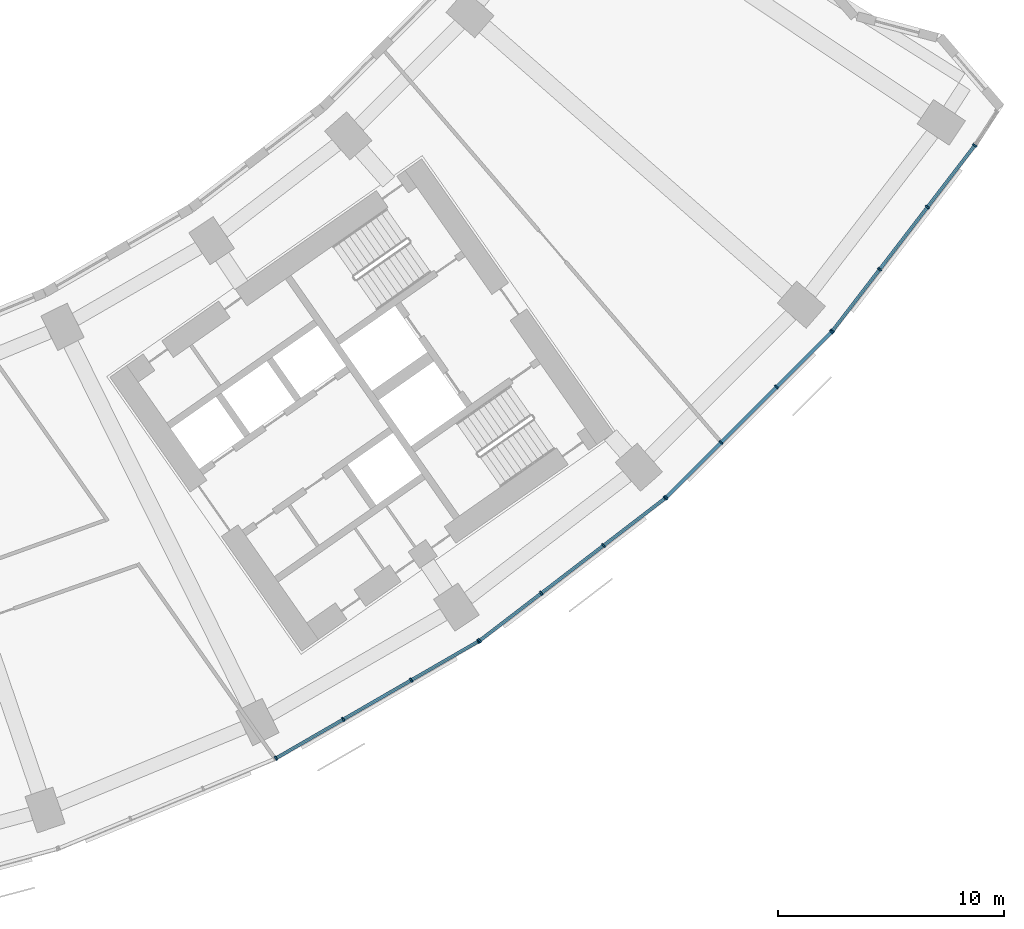
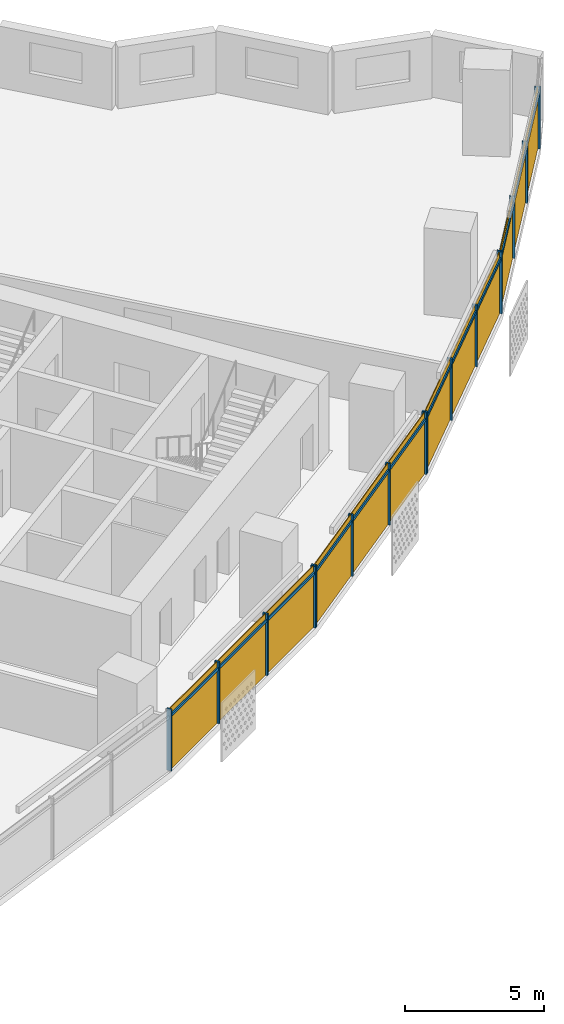
# One storey, part 22 of 31: 28 members, 4 curtain walls.
"""IFC4 building model written with IfcOpenShell, lengths in metres."""

import ifcopenshell
import ifcopenshell.guid

model = None  # the IFC model being written
_history = None  # IfcOwnerHistory: only IFC2X3 demands one
_inside = {}  # id of a spatial element -> (the spatial element, [elements in it])
_under = {}  # id of a project, library or spatial element -> (it, [spatial elements below it])
_declared = {}  # id of a project -> (the project, [libraries it declares])
_typed = {}  # id of a type object -> (the type object, [elements of that type])
_made_of = {}  # id of a material, layer set ... -> (it, [elements and type objects made of it])


def new_model(schema):
    """Start an empty IFC model of exactly this schema.

    Asked for "IFC4X3", IfcOpenShell would pick the latest addendum, in which some entities
    have other attributes; the version numbers below select the first issue.
    IFC2X3 requires an IfcOwnerHistory on every rooted entity: one is made here for all.
    """
    global model, _history
    if schema == "IFC4X3":
        model = ifcopenshell.file(schema_version=(4, 3, 0, 0))
    else:
        model = ifcopenshell.file(schema=schema)
    _inside.clear()
    _under.clear()
    _declared.clear()
    _typed.clear()
    _made_of.clear()
    _history = None
    if model.schema == "IFC2X3":
        org = make("IfcOrganization", Name="unknown")
        user = make(
            "IfcPersonAndOrganization",
            ThePerson=make("IfcPerson", FamilyName="unknown"),
            TheOrganization=org,
        )
        app = make(
            "IfcApplication",
            ApplicationDeveloper=org,
            Version="unknown",
            ApplicationFullName="unknown",
            ApplicationIdentifier="unknown",
        )
        _history = make(
            "IfcOwnerHistory",
            OwningUser=user,
            OwningApplication=app,
            ChangeAction="ADDED",
            CreationDate=0,
        )
    return model


def make(cls, **values):
    """One entity of the class cls with the attributes given. An attribute that is None is left unset."""
    return model.create_entity(
        cls, **{name: value for name, value in values.items() if value is not None}
    )


def rooted(cls, **values):
    """An entity with a GlobalId (a new one), such as an element, a storey or a relation."""
    return make(cls, GlobalId=ifcopenshell.guid.new(), OwnerHistory=_history, **values)


def si_unit(unit_type, name, prefix=None):
    """IfcSIUnit, for example si_unit("LENGTHUNIT", "METRE", prefix="MILLI")."""
    return make("IfcSIUnit", UnitType=unit_type, Prefix=prefix, Name=name)


def assignment(units):
    """IfcUnitAssignment: the units of a project."""
    return None if units is None else make("IfcUnitAssignment", Units=units)


def point(xyz):
    """IfcCartesianPoint."""
    return None if xyz is None else make("IfcCartesianPoint", Coordinates=xyz)


def direction(xyz):
    """IfcDirection."""
    return None if xyz is None else make("IfcDirection", DirectionRatios=xyz)


def frame(location, z_axis=None, x_axis=None):
    """IfcAxis2Placement3D, a coordinate frame: its origin and axes. An axis left out is left unset."""
    return make(
        "IfcAxis2Placement3D",
        Location=point(location),
        Axis=direction(z_axis),
        RefDirection=direction(x_axis),
    )


def frame_2d(location, x_axis=None):
    """IfcAxis2Placement2D, a coordinate frame in the plane: its origin and x axis."""
    return make(
        "IfcAxis2Placement2D", Location=point(location), RefDirection=direction(x_axis)
    )


def origin():
    """The frame at (0, 0, 0) with its axes left unset."""
    return frame((0.0, 0.0, 0.0))


def origin_2d():
    """The frame at (0, 0) in the plane with its x axis left unset."""
    return frame_2d((0.0, 0.0))


def place(relative_to, where):
    """IfcLocalPlacement: puts the frame where relative to a parent placement (None: the world)."""
    return make(
        "IfcLocalPlacement", PlacementRelTo=relative_to, RelativePlacement=where
    )


def context(
    kind, dimensions, precision=None, world=None, true_north=None, identifier=None
):
    """IfcGeometricRepresentationContext, for example the 3D "Model" context."""
    return make(
        "IfcGeometricRepresentationContext",
        ContextIdentifier=identifier,
        ContextType=kind,
        CoordinateSpaceDimension=dimensions,
        Precision=precision,
        WorldCoordinateSystem=world,
        TrueNorth=true_north,
    )


def subcontext(parent, identifier, kind, view, scale=None):
    """IfcGeometricRepresentationSubContext, for example "Body" below "Model"."""
    return make(
        "IfcGeometricRepresentationSubContext",
        ContextIdentifier=identifier,
        ContextType=kind,
        ParentContext=parent,
        TargetScale=scale,
        TargetView=view,
    )


def project(units=None, contexts=None):
    """IfcProject with its units and contexts."""
    return rooted(
        "IfcProject",
        Name="project",
        RepresentationContexts=contexts,
        UnitsInContext=assignment(units),
    )


def spatial(cls, under=None, at=None, **own):
    """A site, building, storey or space (cls), placed at a placement, below another one or the project."""
    s = rooted(cls, ObjectPlacement=at, **own)
    if under is not None:
        _under.setdefault(under.id(), (under, []))[1].append(s)
    return s


def profile(cls, at=None, kind="AREA", **sizes):
    """A parametric profile (cls). Its sizes go by their IFC names, for example OverallWidth=200.0."""
    return make(cls, ProfileType=kind, Position=at, **sizes)


def rectangle(**sizes):
    """IfcRectangleProfileDef."""
    return profile("IfcRectangleProfileDef", **sizes)


def extrude(swept, where, along, depth):
    """IfcExtrudedAreaSolid: the profile swept, set in the frame where, extruded along a direction by depth."""
    return make(
        "IfcExtrudedAreaSolid",
        SweptArea=swept,
        Position=where,
        ExtrudedDirection=direction(along),
        Depth=depth,
    )


def shape(context_of_items, identifier, shape_type, items):
    """IfcShapeRepresentation: the items that make up one representation, for example the "Body"."""
    return make(
        "IfcShapeRepresentation",
        ContextOfItems=context_of_items,
        RepresentationIdentifier=identifier,
        RepresentationType=shape_type,
        Items=items,
    )


def material(Name=None, Category=None):
    """IfcMaterial."""
    return make("IfcMaterial", Name=Name, Category=Category)


def material_profile(
    of_material, cross_section, Name=None, Category=None, Priority=None
):
    """IfcMaterialProfile: a cross section and its material."""
    return make(
        "IfcMaterialProfile",
        Name=Name,
        Material=of_material,
        Profile=cross_section,
        Priority=Priority,
        Category=Category,
    )


def profile_set(profiles, Name=None, composite=None):
    """IfcMaterialProfileSet."""
    return make(
        "IfcMaterialProfileSet",
        Name=Name,
        MaterialProfiles=profiles,
        CompositeProfile=composite,
    )


def made_of(thing, what):
    """Note that an element or type object is made of a material, layer set ...; save() writes the relation."""
    if what is not None:
        _made_of.setdefault(what.id(), (what, []))[1].append(thing)
    return thing


def type_object(cls, material=None, **own):
    """A type object (cls), such as IfcWallType, which elements share."""
    return made_of(rooted(cls, **own), material)


def element(
    cls,
    number,
    at=None,
    inside=None,
    cuts=None,
    type_object=None,
    material=None,
    context=None,
    identifier="Body",
    shape_type=None,
    held_by="IfcProductDefinitionShape",
    body=None,
    shapes=None,
    **own,
):
    """One element of the class cls, such as IfcWall. Its Tag is "e" and its number.

    at: its placement. inside: the storey or other place that contains it. cuts: it is an
    opening in that element (IfcRelVoidsElement). A single representation is given by context,
    identifier, shape_type and body (its items); several are given by shapes. held_by: the class
    of the entity that holds the representations. save() writes the other relations.
    """
    e = rooted(cls, Tag="e%d" % number, ObjectPlacement=at, **own)
    if body is not None:
        shapes = [shape(context, identifier, shape_type, body)]
    if shapes is not None:
        e.Representation = make(held_by, Representations=shapes)
    if inside is not None:
        _inside.setdefault(inside.id(), (inside, []))[1].append(e)
    if cuts is not None:
        rooted(
            "IfcRelVoidsElement", RelatingBuildingElement=cuts, RelatedOpeningElement=e
        )
    if type_object is not None:
        _typed.setdefault(type_object.id(), (type_object, []))[1].append(e)
    return made_of(e, material)


def aggregate(whole, parts):
    """IfcRelAggregates: a whole, such as a stair, and the parts it consists of."""
    return rooted("IfcRelAggregates", RelatingObject=whole, RelatedObjects=parts)


def save(model, path):
    """Write the relations noted so far, then the file.

    IfcRelAggregates (storeys below a building ...), IfcRelContainedInSpatialStructure (elements
    in a storey), IfcRelDefinesByType, IfcRelAssociatesMaterial and IfcRelDeclares: one each for
    every whole, place, type object, material and project.
    """
    for whole, parts in _under.values():
        aggregate(whole, parts)
    for where, things in _inside.values():
        rooted(
            "IfcRelContainedInSpatialStructure",
            RelatedElements=things,
            RelatingStructure=where,
        )
    for kind, things in _typed.values():
        rooted("IfcRelDefinesByType", RelatedObjects=things, RelatingType=kind)
    for what, things in _made_of.values():
        rooted("IfcRelAssociatesMaterial", RelatedObjects=things, RelatingMaterial=what)
    for by, libraries in _declared.values():
        rooted("IfcRelDeclares", RelatingContext=by, RelatedDefinitions=libraries)
    model.write(path)


model = new_model("IFC4")

# Units and contexts
model_context = context("Model", 3, precision=1e-05, world=origin(), true_north=direction((0.0, 1.0)))
body_context = subcontext(model_context, "Body", "Model", "MODEL_VIEW")
ifc_project = project(units=[si_unit("LENGTHUNIT", "METRE"), si_unit("AREAUNIT", "SQUARE_METRE"), si_unit("VOLUMEUNIT", "CUBIC_METRE"), si_unit("PLANEANGLEUNIT", "RADIAN"), si_unit("MASSUNIT", "GRAM", prefix="KILO")], contexts=[model_context])

# Member
ifc_material = material(Name="Aluminium 6063-T6 anodised", Category="aluminium")
ifc_material_profile_1 = material_profile(ifc_material, rectangle(XDim=0.199951171875, YDim=0.070068359375, at=origin_2d()))
ifc_profile_set_1 = profile_set([ifc_material_profile_1], Name="Aluminium 6063-T6 anodised")
member_type_1 = type_object("IfcMemberType", Name="Mullion 70 x 200 aluminium", PredefinedType="MULLION", material=ifc_profile_set_1)
site_placement = place(None, origin())
building_placement = place(site_placement, origin())
storey_placement = place(building_placement, frame((0.0, 0.0, 51.89990234375)))
member_1_placement = place(storey_placement, frame((35.20849609375, -71.331787109375, 0.0), z_axis=(0.0, 0.0, 1.0), x_axis=(-0.5, 0.866025403784, 0.0)))
member_1 = element("IfcMember", 1, at=member_1_placement, type_object=member_type_1, Name="e-cw1-L09-out12/M00", PredefinedType="MULLION", context=body_context, shape_type="SweptSolid", body=[
    extrude(rectangle(XDim=0.199951171875, YDim=0.070068359375, at=origin_2d()), origin(), (0.0, 0.0, 1.0), 2.7001953125),
])

member_2_placement = place(storey_placement, frame((38.18603515625, -69.61279296875, 0.0), z_axis=(0.0, 0.0, 1.0), x_axis=(-0.5, 0.866025403784, 0.0)))
member_2 = element("IfcMember", 2, at=member_2_placement, type_object=member_type_1, Name="e-cw1-L09-out12/M01", PredefinedType="MULLION", context=body_context, shape_type="SweptSolid", body=[
    extrude(rectangle(XDim=0.199951171875, YDim=0.070068359375, at=origin_2d()), origin(), (0.0, 0.0, 1.0), 2.7001953125),
])

member_3_placement = place(storey_placement, frame((41.193603515625, -67.87646484375, 0.0), z_axis=(0.0, 0.0, 1.0), x_axis=(-0.5, 0.866025403784, 0.0)))
member_3 = element("IfcMember", 3, at=member_3_placement, type_object=member_type_1, Name="e-cw1-L09-out12/M02", PredefinedType="MULLION", context=body_context, shape_type="SweptSolid", body=[
    extrude(rectangle(XDim=0.199951171875, YDim=0.070068359375, at=origin_2d()), origin(), (0.0, 0.0, 1.0), 2.7001953125),
])

member_4_placement = place(storey_placement, frame((44.1708984375, -66.157470703125, 0.0), z_axis=(0.0, 0.0, 1.0), x_axis=(-0.5, 0.866025403784, 0.0)))
member_4 = element("IfcMember", 4, at=member_4_placement, type_object=member_type_1, Name="e-cw1-L09-out12/M03", PredefinedType="MULLION", context=body_context, shape_type="SweptSolid", body=[
    extrude(rectangle(XDim=0.199951171875, YDim=0.070068359375, at=origin_2d()), origin(), (0.0, 0.0, 1.0), 2.7001953125),
])

member_5_placement = place(storey_placement, frame((44.218017578125, -66.1259765625, 0.0), z_axis=(0.0, 0.0, 1.0), x_axis=(-0.608761429009, 0.793353340291, 0.0)))
member_5 = element("IfcMember", 5, at=member_5_placement, type_object=member_type_1, Name="e-cw1-L09-out13/M00", PredefinedType="MULLION", context=body_context, shape_type="SweptSolid", body=[
    extrude(rectangle(XDim=0.199951171875, YDim=0.070068359375, at=origin_2d()), origin(), (0.0, 0.0, 1.0), 2.7001953125),
])

member_6_placement = place(storey_placement, frame((46.945556640625, -64.032958984375, 0.0), z_axis=(0.0, 0.0, 1.0), x_axis=(-0.608761429009, 0.793353340291, 0.0)))
member_6 = element("IfcMember", 6, at=member_6_placement, type_object=member_type_1, Name="e-cw1-L09-out13/M01", PredefinedType="MULLION", context=body_context, shape_type="SweptSolid", body=[
    extrude(rectangle(XDim=0.199951171875, YDim=0.070068359375, at=origin_2d()), origin(), (0.0, 0.0, 1.0), 2.7001953125),
])

member_7_placement = place(storey_placement, frame((49.70068359375, -61.9189453125, 0.0), z_axis=(0.0, 0.0, 1.0), x_axis=(-0.608761429009, 0.793353340291, 0.0)))
member_7 = element("IfcMember", 7, at=member_7_placement, type_object=member_type_1, Name="e-cw1-L09-out13/M02", PredefinedType="MULLION", context=body_context, shape_type="SweptSolid", body=[
    extrude(rectangle(XDim=0.199951171875, YDim=0.070068359375, at=origin_2d()), origin(), (0.0, 0.0, 1.0), 2.7001953125),
])

member_8_placement = place(storey_placement, frame((52.42822265625, -59.825927734375, 0.0), z_axis=(0.0, 0.0, 1.0), x_axis=(-0.608761429009, 0.793353340291, 0.0)))
member_8 = element("IfcMember", 8, at=member_8_placement, type_object=member_type_1, Name="e-cw1-L09-out13/M03", PredefinedType="MULLION", context=body_context, shape_type="SweptSolid", body=[
    extrude(rectangle(XDim=0.199951171875, YDim=0.070068359375, at=origin_2d()), origin(), (0.0, 0.0, 1.0), 2.7001953125),
])

member_9_placement = place(storey_placement, frame((52.470947265625, -59.78857421875, 0.0), z_axis=(0.0, 0.0, 1.0), x_axis=(-0.707106781187, 0.707106781187, 0.0)))
member_9 = element("IfcMember", 9, at=member_9_placement, type_object=member_type_1, Name="e-cw1-L09-out14/M00", PredefinedType="MULLION", context=body_context, shape_type="SweptSolid", body=[
    extrude(rectangle(XDim=0.199951171875, YDim=0.070068359375, at=origin_2d()), origin(), (0.0, 0.0, 1.0), 2.7001953125),
])

member_10_placement = place(storey_placement, frame((54.90185546875, -57.357666015625, 0.0), z_axis=(0.0, 0.0, 1.0), x_axis=(-0.707106781187, 0.707106781187, 0.0)))
member_10 = element("IfcMember", 10, at=member_10_placement, type_object=member_type_1, Name="e-cw1-L09-out14/M01", PredefinedType="MULLION", context=body_context, shape_type="SweptSolid", body=[
    extrude(rectangle(XDim=0.199951171875, YDim=0.070068359375, at=origin_2d()), origin(), (0.0, 0.0, 1.0), 2.7001953125),
])

member_11_placement = place(storey_placement, frame((57.357666015625, -54.90185546875, 0.0), z_axis=(0.0, 0.0, 1.0), x_axis=(-0.707106781187, 0.707106781187, 0.0)))
member_11 = element("IfcMember", 11, at=member_11_placement, type_object=member_type_1, Name="e-cw1-L09-out14/M02", PredefinedType="MULLION", context=body_context, shape_type="SweptSolid", body=[
    extrude(rectangle(XDim=0.199951171875, YDim=0.070068359375, at=origin_2d()), origin(), (0.0, 0.0, 1.0), 2.7001953125),
])

member_12_placement = place(storey_placement, frame((59.78857421875, -52.470947265625, 0.0), z_axis=(0.0, 0.0, 1.0), x_axis=(-0.707106781187, 0.707106781187, 0.0)))
member_12 = element("IfcMember", 12, at=member_12_placement, type_object=member_type_1, Name="e-cw1-L09-out14/M03", PredefinedType="MULLION", context=body_context, shape_type="SweptSolid", body=[
    extrude(rectangle(XDim=0.199951171875, YDim=0.070068359375, at=origin_2d()), origin(), (0.0, 0.0, 1.0), 2.7001953125),
])

member_13_placement = place(storey_placement, frame((59.825927734375, -52.42822265625, 0.0), z_axis=(0.0, 0.0, 1.0), x_axis=(-0.793353340291, 0.608761429009, 0.0)))
member_13 = element("IfcMember", 13, at=member_13_placement, type_object=member_type_1, Name="e-cw1-L09-out15/M00", PredefinedType="MULLION", context=body_context, shape_type="SweptSolid", body=[
    extrude(rectangle(XDim=0.199951171875, YDim=0.070068359375, at=origin_2d()), origin(), (0.0, 0.0, 1.0), 2.7001953125),
])

member_14_placement = place(storey_placement, frame((61.9189453125, -49.70068359375, 0.0), z_axis=(0.0, 0.0, 1.0), x_axis=(-0.793353340291, 0.608761429009, 0.0)))
member_14 = element("IfcMember", 14, at=member_14_placement, type_object=member_type_1, Name="e-cw1-L09-out15/M01", PredefinedType="MULLION", context=body_context, shape_type="SweptSolid", body=[
    extrude(rectangle(XDim=0.199951171875, YDim=0.070068359375, at=origin_2d()), origin(), (0.0, 0.0, 1.0), 2.7001953125),
])

member_15_placement = place(storey_placement, frame((64.032958984375, -46.945556640625, 0.0), z_axis=(0.0, 0.0, 1.0), x_axis=(-0.793353340291, 0.608761429009, 0.0)))
member_15 = element("IfcMember", 15, at=member_15_placement, type_object=member_type_1, Name="e-cw1-L09-out15/M02", PredefinedType="MULLION", context=body_context, shape_type="SweptSolid", body=[
    extrude(rectangle(XDim=0.199951171875, YDim=0.070068359375, at=origin_2d()), origin(), (0.0, 0.0, 1.0), 2.7001953125),
])

member_16_placement = place(storey_placement, frame((66.1259765625, -44.218017578125, 0.0), z_axis=(0.0, 0.0, 1.0), x_axis=(-0.793353340291, 0.608761429009, 0.0)))
member_16 = element("IfcMember", 16, at=member_16_placement, type_object=member_type_1, Name="e-cw1-L09-out15/M03", PredefinedType="MULLION", context=body_context, shape_type="SweptSolid", body=[
    extrude(rectangle(XDim=0.199951171875, YDim=0.070068359375, at=origin_2d()), origin(), (0.0, 0.0, 1.0), 2.7001953125),
])

ifc_material_profile_2 = material_profile(ifc_material, rectangle(XDim=0.139892578125, YDim=0.1201171875, at=origin_2d()))
ifc_profile_set_2 = profile_set([ifc_material_profile_2], Name="Aluminium 6063-T6 anodised")
member_type_2 = type_object("IfcMemberType", Name="Transom 120 x 140 aluminium", PredefinedType="USERDEFINED", material=ifc_profile_set_2)
member_17_placement = place(storey_placement, frame((35.239013671875, -71.314208984375, 2.400146484375), z_axis=(0.866026229868, 0.499998569178, 0.0), x_axis=(-0.499998569178, 0.866026229868, 0.0)))
member_17 = element("IfcMember", 17, at=member_17_placement, type_object=member_type_2, Name="e-cw1-L09-out12/T00", ObjectType="TRANSOM", PredefinedType="USERDEFINED", context=body_context, shape_type="SweptSolid", body=[
    extrude(rectangle(XDim=0.139892578125, YDim=0.1201171875, at=origin_2d()), origin(), (0.0, 0.0, 1.0), 3.36767578125),
])

member_18_placement = place(storey_placement, frame((38.21630859375, -69.595458984375, 2.400146484375), z_axis=(0.866000398227, 0.500043308395, 0.0), x_axis=(-0.500043308395, 0.866000398227, 0.0)))
member_18 = element("IfcMember", 18, at=member_18_placement, type_object=member_type_2, Name="e-cw1-L09-out12/T01", ObjectType="TRANSOM", PredefinedType="USERDEFINED", context=body_context, shape_type="SweptSolid", body=[
    extrude(rectangle(XDim=0.139892578125, YDim=0.1201171875, at=origin_2d()), origin(), (0.0, 0.0, 1.0), 3.403076171875),
])

member_19_placement = place(storey_placement, frame((41.223876953125, -67.85888671875, 2.400146484375), z_axis=(0.866044351828, 0.49996717959, 0.0), x_axis=(-0.49996717959, 0.866044351828, 0.0)))
member_19 = element("IfcMember", 19, at=member_19_placement, type_object=member_type_2, Name="e-cw1-L09-out12/T02", ObjectType="TRANSOM", PredefinedType="USERDEFINED", context=body_context, shape_type="SweptSolid", body=[
    extrude(rectangle(XDim=0.139892578125, YDim=0.1201171875, at=origin_2d()), origin(), (0.0, 0.0, 1.0), 3.367919921875),
])

member_20_placement = place(storey_placement, frame((44.245849609375, -66.1044921875, 2.400146484375), z_axis=(0.793375276742, 0.608732839803, 0.0), x_axis=(-0.608732839803, 0.793375276742, 0.0)))
member_20 = element("IfcMember", 20, at=member_20_placement, type_object=member_type_2, Name="e-cw1-L09-out13/T00", ObjectType="TRANSOM", PredefinedType="USERDEFINED", context=body_context, shape_type="SweptSolid", body=[
    extrude(rectangle(XDim=0.139892578125, YDim=0.1201171875, at=origin_2d()), origin(), (0.0, 0.0, 1.0), 3.36767578125),
])

member_21_placement = place(storey_placement, frame((46.973388671875, -64.01171875, 2.400146484375), z_axis=(0.793356868815, 0.60875683052, 0.0), x_axis=(-0.60875683052, 0.793356868815, 0.0)))
member_21 = element("IfcMember", 21, at=member_21_placement, type_object=member_type_2, Name="e-cw1-L09-out13/T01", ObjectType="TRANSOM", PredefinedType="USERDEFINED", context=body_context, shape_type="SweptSolid", body=[
    extrude(rectangle(XDim=0.139892578125, YDim=0.1201171875, at=origin_2d()), origin(), (0.0, 0.0, 1.0), 3.40283203125),
])

member_22_placement = place(storey_placement, frame((49.728515625, -61.8974609375, 2.400146484375), z_axis=(0.793375276742, 0.608732839803, 0.0), x_axis=(-0.608732839803, 0.793375276742, 0.0)))
member_22 = element("IfcMember", 22, at=member_22_placement, type_object=member_type_2, Name="e-cw1-L09-out13/T02", ObjectType="TRANSOM", PredefinedType="USERDEFINED", context=body_context, shape_type="SweptSolid", body=[
    extrude(rectangle(XDim=0.139892578125, YDim=0.1201171875, at=origin_2d()), origin(), (0.0, 0.0, 1.0), 3.36767578125),
])

member_23_placement = place(storey_placement, frame((52.49560546875, -59.763916015625, 2.400146484375), z_axis=(0.707106781187, 0.707106781187, 0.0), x_axis=(-0.707106781187, 0.707106781187, 0.0)))
member_23 = element("IfcMember", 23, at=member_23_placement, type_object=member_type_2, Name="e-cw1-L09-out14/T00", ObjectType="TRANSOM", PredefinedType="USERDEFINED", context=body_context, shape_type="SweptSolid", body=[
    extrude(rectangle(XDim=0.139892578125, YDim=0.1201171875, at=origin_2d()), origin(), (0.0, 0.0, 1.0), 3.3681640625),
])

member_24_placement = place(storey_placement, frame((54.9267578125, -57.332763671875, 2.400146484375), z_axis=(0.707106781187, 0.707106781187, 0.0), x_axis=(-0.707106781187, 0.707106781187, 0.0)))
member_24 = element("IfcMember", 24, at=member_24_placement, type_object=member_type_2, Name="e-cw1-L09-out14/T01", ObjectType="TRANSOM", PredefinedType="USERDEFINED", context=body_context, shape_type="SweptSolid", body=[
    extrude(rectangle(XDim=0.139892578125, YDim=0.1201171875, at=origin_2d()), origin(), (0.0, 0.0, 1.0), 3.402587890625),
])

member_25_placement = place(storey_placement, frame((57.38232421875, -54.877197265625, 2.400146484375), z_axis=(0.707106781187, 0.707106781187, 0.0), x_axis=(-0.707106781187, 0.707106781187, 0.0)))
member_25 = element("IfcMember", 25, at=member_25_placement, type_object=member_type_2, Name="e-cw1-L09-out14/T02", ObjectType="TRANSOM", PredefinedType="USERDEFINED", context=body_context, shape_type="SweptSolid", body=[
    extrude(rectangle(XDim=0.139892578125, YDim=0.1201171875, at=origin_2d()), origin(), (0.0, 0.0, 1.0), 3.3681640625),
])

member_26_placement = place(storey_placement, frame((59.847412109375, -52.400390625, 2.400146484375), z_axis=(0.608732839803, 0.793375276742, 0.0), x_axis=(-0.793375276742, 0.608732839803, 0.0)))
member_26 = element("IfcMember", 26, at=member_26_placement, type_object=member_type_2, Name="e-cw1-L09-out15/T00", ObjectType="TRANSOM", PredefinedType="USERDEFINED", context=body_context, shape_type="SweptSolid", body=[
    extrude(rectangle(XDim=0.139892578125, YDim=0.1201171875, at=origin_2d()), origin(), (0.0, 0.0, 1.0), 3.36767578125),
])

member_27_placement = place(storey_placement, frame((61.940185546875, -49.673095703125, 2.400146484375), z_axis=(0.60875683052, 0.793356868815, 0.0), x_axis=(-0.793356868815, 0.60875683052, 0.0)))
member_27 = element("IfcMember", 27, at=member_27_placement, type_object=member_type_2, Name="e-cw1-L09-out15/T01", ObjectType="TRANSOM", PredefinedType="USERDEFINED", context=body_context, shape_type="SweptSolid", body=[
    extrude(rectangle(XDim=0.139892578125, YDim=0.1201171875, at=origin_2d()), origin(), (0.0, 0.0, 1.0), 3.40283203125),
])

member_28_placement = place(storey_placement, frame((64.054443359375, -46.917724609375, 2.400146484375), z_axis=(0.608732839803, 0.793375276742, 0.0), x_axis=(-0.793375276742, 0.608732839803, 0.0)))
member_28 = element("IfcMember", 28, at=member_28_placement, type_object=member_type_2, Name="e-cw1-L09-out15/T02", ObjectType="TRANSOM", PredefinedType="USERDEFINED", context=body_context, shape_type="SweptSolid", body=[
    extrude(rectangle(XDim=0.139892578125, YDim=0.1201171875, at=origin_2d()), origin(), (0.0, 0.0, 1.0), 3.36767578125),
])

# Site, building, storey
site = spatial("IfcSite", under=ifc_project, at=site_placement, CompositionType="ELEMENT")
building = spatial("IfcBuilding", under=site, at=building_placement, Name="Qamariyya Broadcast Tower", CompositionType="ELEMENT")
storey = spatial("IfcBuildingStorey", under=building, at=storey_placement, Name="L09", CompositionType="ELEMENT", Elevation=51.89990234375)

# Curtain wall
curtain_wall_type = type_object("IfcCurtainWallType", Name="Unitised curtain wall, anodised aluminium", PredefinedType="NOTDEFINED", material=ifc_material)
curtain_wall_1_placement = place(storey_placement, origin())
curtain_wall_1 = element("IfcCurtainWall", 29, at=curtain_wall_1_placement, inside=storey, type_object=curtain_wall_type, Name="e-cw1-L09-out12", PredefinedType="NOTDEFINED", context=body_context, shape_type="SweptSolid", body=[
    extrude(rectangle(XDim=3.367919921875, YDim=0.031982421875, at=origin_2d()), frame((36.697265625, -70.472412109375, 0.0), x_axis=(0.86602247392, 0.500005074639, 0.0)), (0.0, 0.0, 1.0), 2.340087890625),
    extrude(rectangle(XDim=3.367919921875, YDim=0.031982421875, at=origin_2d()), frame((36.697265625, -70.472412109375, 2.460205078125), x_axis=(0.86602247392, 0.500005074639, 0.0)), (0.0, 0.0, 1.0), 0.239990234375),
    extrude(rectangle(XDim=3.40283203125, YDim=0.031982421875, at=origin_2d()), frame((39.689697265625, -68.74462890625, 0.0), x_axis=(0.86602247392, 0.500005074639, 0.0)), (0.0, 0.0, 1.0), 2.340087890625),
    extrude(rectangle(XDim=3.40283203125, YDim=0.031982421875, at=origin_2d()), frame((39.689697265625, -68.74462890625, 2.460205078125), x_axis=(0.86602247392, 0.500005074639, 0.0)), (0.0, 0.0, 1.0), 0.239990234375),
    extrude(rectangle(XDim=3.367919921875, YDim=0.031982421875, at=origin_2d()), frame((42.68212890625, -67.016845703125, 0.0), x_axis=(0.86602247392, 0.500005074639, 0.0)), (0.0, 0.0, 1.0), 2.340087890625),
    extrude(rectangle(XDim=3.367919921875, YDim=0.031982421875, at=origin_2d()), frame((42.68212890625, -67.016845703125, 2.460205078125), x_axis=(0.86602247392, 0.500005074639, 0.0)), (0.0, 0.0, 1.0), 0.239990234375),
])

aggregate(curtain_wall_1, [member_1, member_2, member_3, member_4, member_17, member_18, member_19])

curtain_wall_2_placement = place(storey_placement, origin())
curtain_wall_2 = element("IfcCurtainWall", 30, at=curtain_wall_2_placement, inside=storey, type_object=curtain_wall_type, Name="e-cw1-L09-out13", PredefinedType="NOTDEFINED", context=body_context, shape_type="SweptSolid", body=[
    extrude(rectangle(XDim=3.367919921875, YDim=0.031982421875, at=origin_2d()), frame((45.581787109375, -65.07958984375, 0.0), x_axis=(0.79335775203, 0.608755679475, 0.0)), (0.0, 0.0, 1.0), 2.340087890625),
    extrude(rectangle(XDim=3.367919921875, YDim=0.031982421875, at=origin_2d()), frame((45.581787109375, -65.07958984375, 2.460205078125), x_axis=(0.79335775203, 0.608755679475, 0.0)), (0.0, 0.0, 1.0), 0.239990234375),
    extrude(rectangle(XDim=3.40283203125, YDim=0.031982421875, at=origin_2d()), frame((48.3232421875, -62.97607421875, 0.0), x_axis=(0.79335775203, 0.608755679475, 0.0)), (0.0, 0.0, 1.0), 2.340087890625),
    extrude(rectangle(XDim=3.40283203125, YDim=0.031982421875, at=origin_2d()), frame((48.3232421875, -62.97607421875, 2.460205078125), x_axis=(0.79335775203, 0.608755679475, 0.0)), (0.0, 0.0, 1.0), 0.239990234375),
    extrude(rectangle(XDim=3.367919921875, YDim=0.031982421875, at=origin_2d()), frame((51.064453125, -60.872314453125, 0.0), x_axis=(0.79335775203, 0.608755679475, 0.0)), (0.0, 0.0, 1.0), 2.340087890625),
    extrude(rectangle(XDim=3.367919921875, YDim=0.031982421875, at=origin_2d()), frame((51.064453125, -60.872314453125, 2.460205078125), x_axis=(0.79335775203, 0.608755679475, 0.0)), (0.0, 0.0, 1.0), 0.239990234375),
])

aggregate(curtain_wall_2, [member_5, member_6, member_7, member_8, member_20, member_21, member_22])

curtain_wall_3_placement = place(storey_placement, origin())
curtain_wall_3 = element("IfcCurtainWall", 31, at=curtain_wall_3_placement, inside=storey, type_object=curtain_wall_type, Name="e-cw1-L09-out14", PredefinedType="NOTDEFINED", context=body_context, shape_type="SweptSolid", body=[
    extrude(rectangle(XDim=3.367919921875, YDim=0.031982421875, at=origin_2d()), frame((53.6865234375, -58.572998046875, 0.0), x_axis=(0.707106781187, 0.707106781187, 0.0)), (0.0, 0.0, 1.0), 2.340087890625),
    extrude(rectangle(XDim=3.367919921875, YDim=0.031982421875, at=origin_2d()), frame((53.6865234375, -58.572998046875, 2.460205078125), x_axis=(0.707106781187, 0.707106781187, 0.0)), (0.0, 0.0, 1.0), 0.239990234375),
    extrude(rectangle(XDim=3.40283203125, YDim=0.031982421875, at=origin_2d()), frame((56.1298828125, -56.1298828125, 0.0), x_axis=(0.707106781187, 0.707106781187, 0.0)), (0.0, 0.0, 1.0), 2.340087890625),
    extrude(rectangle(XDim=3.40283203125, YDim=0.031982421875, at=origin_2d()), frame((56.1298828125, -56.1298828125, 2.460205078125), x_axis=(0.707106781187, 0.707106781187, 0.0)), (0.0, 0.0, 1.0), 0.239990234375),
    extrude(rectangle(XDim=3.367919921875, YDim=0.031982421875, at=origin_2d()), frame((58.572998046875, -53.6865234375, 0.0), x_axis=(0.707106781187, 0.707106781187, 0.0)), (0.0, 0.0, 1.0), 2.340087890625),
    extrude(rectangle(XDim=3.367919921875, YDim=0.031982421875, at=origin_2d()), frame((58.572998046875, -53.6865234375, 2.460205078125), x_axis=(0.707106781187, 0.707106781187, 0.0)), (0.0, 0.0, 1.0), 0.239990234375),
])

aggregate(curtain_wall_3, [member_9, member_10, member_11, member_12, member_23, member_24, member_25])

curtain_wall_4_placement = place(storey_placement, origin())
curtain_wall_4 = element("IfcCurtainWall", 32, at=curtain_wall_4_placement, inside=storey, type_object=curtain_wall_type, Name="e-cw1-L09-out15", PredefinedType="NOTDEFINED", context=body_context, shape_type="SweptSolid", body=[
    extrude(rectangle(XDim=3.367919921875, YDim=0.031982421875, at=origin_2d()), frame((60.872314453125, -51.064453125, 0.0), x_axis=(0.608755679475, 0.79335775203, 0.0)), (0.0, 0.0, 1.0), 2.340087890625),
    extrude(rectangle(XDim=3.367919921875, YDim=0.031982421875, at=origin_2d()), frame((60.872314453125, -51.064453125, 2.460205078125), x_axis=(0.608755679475, 0.79335775203, 0.0)), (0.0, 0.0, 1.0), 0.239990234375),
    extrude(rectangle(XDim=3.40283203125, YDim=0.031982421875, at=origin_2d()), frame((62.97607421875, -48.3232421875, 0.0), x_axis=(0.608755679475, 0.79335775203, 0.0)), (0.0, 0.0, 1.0), 2.340087890625),
    extrude(rectangle(XDim=3.40283203125, YDim=0.031982421875, at=origin_2d()), frame((62.97607421875, -48.3232421875, 2.460205078125), x_axis=(0.608755679475, 0.79335775203, 0.0)), (0.0, 0.0, 1.0), 0.239990234375),
    extrude(rectangle(XDim=3.367919921875, YDim=0.031982421875, at=origin_2d()), frame((65.07958984375, -45.581787109375, 0.0), x_axis=(0.608755679475, 0.79335775203, 0.0)), (0.0, 0.0, 1.0), 2.340087890625),
    extrude(rectangle(XDim=3.367919921875, YDim=0.031982421875, at=origin_2d()), frame((65.07958984375, -45.581787109375, 2.460205078125), x_axis=(0.608755679475, 0.79335775203, 0.0)), (0.0, 0.0, 1.0), 0.239990234375),
])

aggregate(curtain_wall_4, [member_13, member_14, member_15, member_16, member_26, member_27, member_28])

save(model, "model.ifc")
